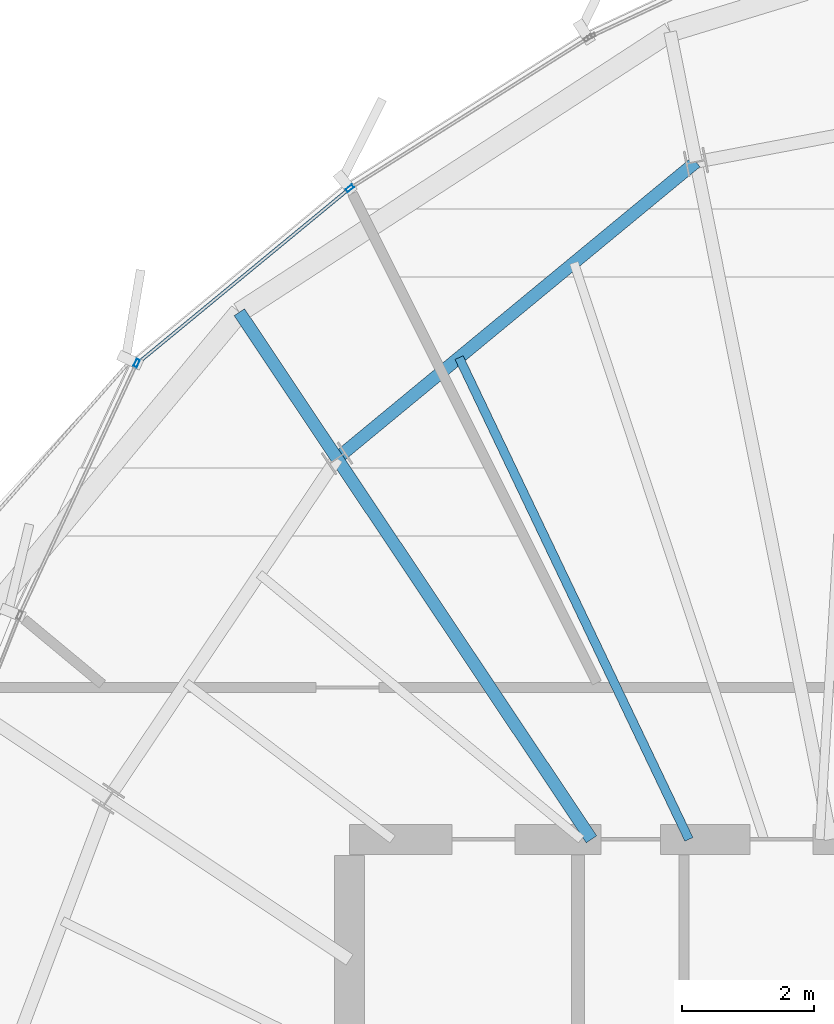
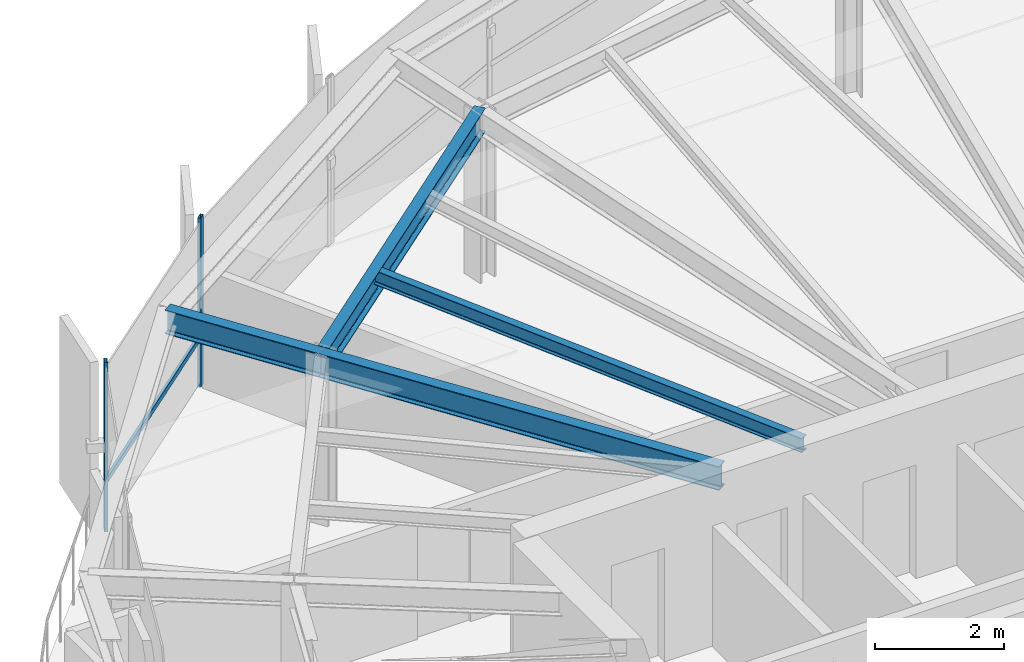
# One storey, part 20 of 36: 4 beams, 3 members, 1 element without a shape of its own.
"""IFC4 building model written with IfcOpenShell, lengths in metres."""

from ifc_helpers import new_model, si_unit, direction, frame, origin, origin_2d, place, context, subcontext, project, spatial, hollow_rectangle, i_section, extrude, source, transform, mapped, material, layer, layer_set, material_profile, profile_set, type_object, element, aggregate, save


model = new_model("IFC4")

# Units and contexts
model_context = context("Model", 3, precision=1e-05, world=origin(), true_north=direction((0.0, 1.0)))
body_context = subcontext(model_context, "Body", "Model", "MODEL_VIEW")
ifc_project = project(units=[si_unit("LENGTHUNIT", "METRE"), si_unit("AREAUNIT", "SQUARE_METRE"), si_unit("VOLUMEUNIT", "CUBIC_METRE"), si_unit("PLANEANGLEUNIT", "RADIAN"), si_unit("MASSUNIT", "GRAM", prefix="KILO"), si_unit("THERMODYNAMICTEMPERATUREUNIT", "KELVIN")], contexts=[model_context])

# Site, building, storey
site_placement = place(None, origin())
site = spatial("IfcSite", under=ifc_project, at=site_placement, CompositionType="ELEMENT")
building_placement = place(site_placement, origin())
building = spatial("IfcBuilding", under=site, at=building_placement, Name="Kethvar Cultural Tower", CompositionType="ELEMENT")
storey_placement = place(building_placement, frame((0.0, 0.0, 242.199951171875)))
storey = spatial("IfcBuildingStorey", under=building, at=storey_placement, Name="L63", CompositionType="ELEMENT", Elevation=242.199951171875)

# Beams
ifc_material_1 = material(Name="Steel S355J2", Category="steel")
ifc_material_profile_1 = material_profile(ifc_material_1, i_section(OverallWidth=0.18994140625, OverallDepth=0.449951171875, WebThickness=0.009521484375, FlangeThickness=0.0146484375, FilletRadius=0.02099609375, at=origin_2d()), Name="Steel S355J2 — IPE450")
ifc_profile_set_1 = profile_set([ifc_material_profile_1], Name="Steel S355J2 — IPE450")
beam_type_1 = type_object("IfcBeamType", Name="BM-IPE450", PredefinedType="BEAM", material=ifc_profile_set_1)
shared_shape_1 = source(origin(), body_context, "Body", "SweptSolid", [
    extrude(i_section(OverallWidth=0.18994140625, OverallDepth=0.449951171875, WebThickness=0.009521484375, FlangeThickness=0.0146484375, FilletRadius=0.02099609375, at=origin_2d()), origin(), (0.0, 0.0, 1.0), 6.921630859375),
])
beam_1_placement = place(storey_placement, frame((41.655029296875, 35.5, 2.983154296875), z_axis=(-0.555570841874, 0.831469205479, 0.0), x_axis=(-0.831469205479, -0.555570841874, 0.0)))
element("IfcBeam", 1, at=beam_1_placement, inside=storey, type_object=beam_type_1, Name="L63 Primary Radial Beam RB-06", PredefinedType="BEAM", context=body_context, shape_type="MappedRepresentation", body=[
    mapped(shared_shape_1, transform((0.0, 0.0, 0.0), scale=1.0)),
])
shared_shape_2 = source(origin(), body_context, "Body", "SweptSolid", [
    extrude(i_section(OverallWidth=0.18994140625, OverallDepth=0.449951171875, WebThickness=0.009521484375, FlangeThickness=0.0146484375, FilletRadius=0.02099609375, at=origin_2d()), origin(), (0.0, 0.0, 1.0), 7.03271484375),
])
beam_2_placement = place(storey_placement, frame((43.23291015625, 45.732421875, 2.983154296875), z_axis=(-0.771161072103, -0.636640087391, 0.0), x_axis=(0.636640087391, -0.771161072103, 0.0)))
element("IfcBeam", 2, at=beam_2_placement, inside=storey, type_object=beam_type_1, Name="L63 Column Ring Tie Beam CR-05", PredefinedType="BEAM", context=body_context, shape_type="MappedRepresentation", body=[
    mapped(shared_shape_2, transform((0.0, 0.0, 0.0), scale=1.0)),
])
ifc_material_profile_2 = material_profile(ifc_material_1, i_section(OverallWidth=0.135009765625, OverallDepth=0.27001953125, WebThickness=0.006591796875, FlangeThickness=0.01025390625, FilletRadius=0.014892578125, at=origin_2d()), Name="Steel S355J2 — IPE270")
ifc_profile_set_2 = profile_set([ifc_material_profile_2], Name="Steel S355J2 — IPE270")
beam_type_2 = type_object("IfcBeamType", Name="BM-J270", PredefinedType="JOIST", material=ifc_profile_set_2)
shared_shape_3 = source(origin(), body_context, "Body", "SweptSolid", [
    extrude(i_section(OverallWidth=0.135009765625, OverallDepth=0.27001953125, WebThickness=0.006591796875, FlangeThickness=0.01025390625, FilletRadius=0.014892578125, at=origin_2d()), origin(), (0.0, 0.0, 1.0), 8.063232421875),
])
beam_3_placement = place(storey_placement, frame((43.1259765625, 35.5, 3.072998046875), z_axis=(-0.430642151588, 0.902522762746, 0.0), x_axis=(-0.902522762746, -0.430642151588, 0.0)))
element("IfcBeam", 3, at=beam_3_placement, inside=storey, type_object=beam_type_2, Name="L63 Composite Floor Joist J-05B", PredefinedType="JOIST", context=body_context, shape_type="MappedRepresentation", body=[
    mapped(shared_shape_3, transform((0.0, 0.0, 0.0), scale=1.0)),
])
shared_shape_4 = source(origin(), body_context, "Body", "SweptSolid", [
    extrude(i_section(OverallWidth=0.18994140625, OverallDepth=0.449951171875, WebThickness=0.009521484375, FlangeThickness=0.0146484375, FilletRadius=0.02099609375, at=origin_2d()), origin(), (0.0, 0.0, 1.0), 2.6552734375),
])
beam_4_placement = place(storey_placement, frame((37.8095703125, 41.255126953125, 2.983154296875), z_axis=(-0.555548656629, 0.831484028781, 0.0), x_axis=(-0.831484028781, -0.555548656629, 0.0)))
element("IfcBeam", 4, at=beam_4_placement, inside=storey, type_object=beam_type_1, Name="L63 Perimeter Cantilever Beam RC-06", PredefinedType="BEAM", context=body_context, shape_type="MappedRepresentation", body=[
    mapped(shared_shape_4, transform((0.0, 0.0, 0.0), scale=1.0)),
])

# Curtain wall, members
ifc_material_2 = material(Name="Aluminium 6063-T6", Category="aluminium")
ifc_layer = layer(ifc_material_2, 0.179931640625, Name="Aluminium 6063-T6", Category="aluminium")
ifc_layer_set = layer_set([ifc_layer], Name="Aluminium 6063-T6 (180 mm)")
curtain_wall_type = type_object("IfcCurtainWallType", Name="CW-SYS-05-Z56", PredefinedType="NOTDEFINED", material=ifc_layer_set)
curtain_wall_placement = place(storey_placement, origin())
curtain_wall = element("IfcCurtainWall", 5, at=curtain_wall_placement, inside=storey, type_object=curtain_wall_type, Name="L63 Curtain Wall Run 02", PredefinedType="NOTDEFINED")
ifc_material_profile_3 = material_profile(ifc_material_2, hollow_rectangle(XDim=0.054931640625, YDim=0.1201171875, WallThickness=0.00390625, at=origin_2d()), Name="Aluminium 6063-T6 — RHS120x55x4")
ifc_profile_set_3 = profile_set([ifc_material_profile_3], Name="Aluminium 6063-T6 — RHS120x55x4")
member_type_1 = type_object("IfcMemberType", Name="CW-SYS-05-Z56-MUL", PredefinedType="MULLION", material=ifc_profile_set_3)
shared_shape_5 = source(origin(), body_context, "Body", "SweptSolid", [
    extrude(hollow_rectangle(XDim=0.054931640625, YDim=0.1201171875, WallThickness=0.00390625, at=origin_2d()), origin(), (0.0, 0.0, 1.0), 3.2099609375),
])
member_1_placement = place(storey_placement, frame((38.00341796875, 45.335205078125, 0.0), z_axis=(0.0, 0.0, 1.0), x_axis=(0.636051285111, -0.771646786236, 0.0)))
member_1 = element("IfcMember", 6, at=member_1_placement, type_object=member_type_1, Name="CW-L63-R02 Mullion 2", PredefinedType="MULLION", context=body_context, shape_type="MappedRepresentation", body=[
    mapped(shared_shape_5, transform((0.0, 0.0, 0.0), scale=1.0)),
])
member_2_placement = place(storey_placement, frame((34.783447265625, 42.693603515625, 0.0), z_axis=(0.0, 0.0, 1.0), x_axis=(0.906948460949, -0.421241604287, 0.0)))
member_2 = element("IfcMember", 7, at=member_2_placement, type_object=member_type_1, Name="CW-L63-R02 Mullion 3", PredefinedType="MULLION", context=body_context, shape_type="MappedRepresentation", body=[
    mapped(shared_shape_5, transform((0.0, 0.0, 0.0), scale=1.0)),
])
ifc_material_profile_4 = material_profile(ifc_material_2, hollow_rectangle(XDim=0.050048828125, YDim=0.10009765625, WallThickness=0.00390625, at=origin_2d()), Name="Aluminium 6063-T6 — RHS100x50x4")
ifc_profile_set_4 = profile_set([ifc_material_profile_4], Name="Aluminium 6063-T6 — RHS100x50x4")
member_type_2 = type_object("IfcMemberType", Name="CW-SYS-05-Z56-TRN", PredefinedType="USERDEFINED", material=ifc_profile_set_4)
shared_shape_6 = source(origin(), body_context, "Body", "SweptSolid", [
    extrude(hollow_rectangle(XDim=0.050048828125, YDim=0.10009765625, WallThickness=0.00390625, at=origin_2d()), origin(), (0.0, 0.0, 1.0), 4.12890625),
])
member_3_placement = place(storey_placement, frame((37.972900390625, 45.309814453125, 0.949951171875), z_axis=(-0.771641701077, -0.63605745429, 0.0), x_axis=(0.63605745429, -0.771641701077, 0.0)))
member_3 = element("IfcMember", 8, at=member_3_placement, type_object=member_type_2, Name="CW-L63-R02 Transom 2", ObjectType="TRANSOM", PredefinedType="USERDEFINED", context=body_context, shape_type="MappedRepresentation", body=[
    mapped(shared_shape_6, transform((0.0, 0.0, 0.0), scale=1.0)),
])
aggregate(curtain_wall, [member_1, member_2, member_3])

save(model, "model.ifc")
